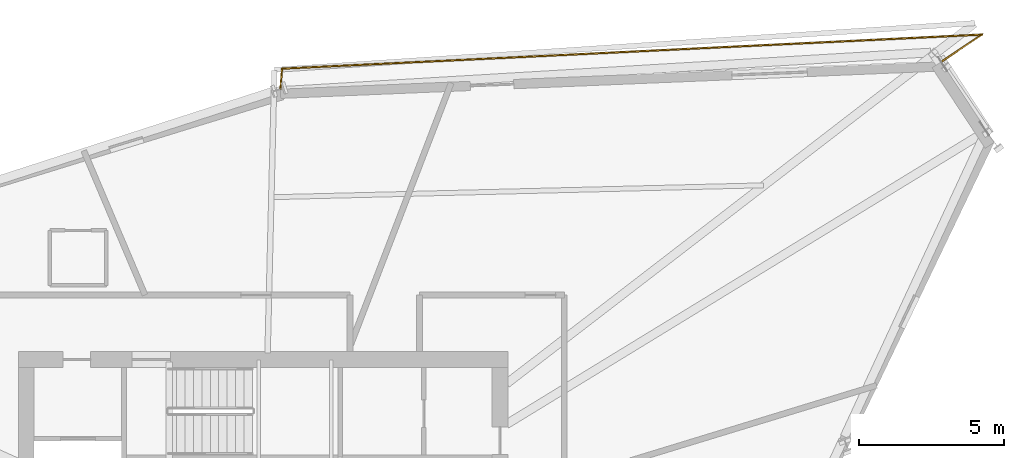
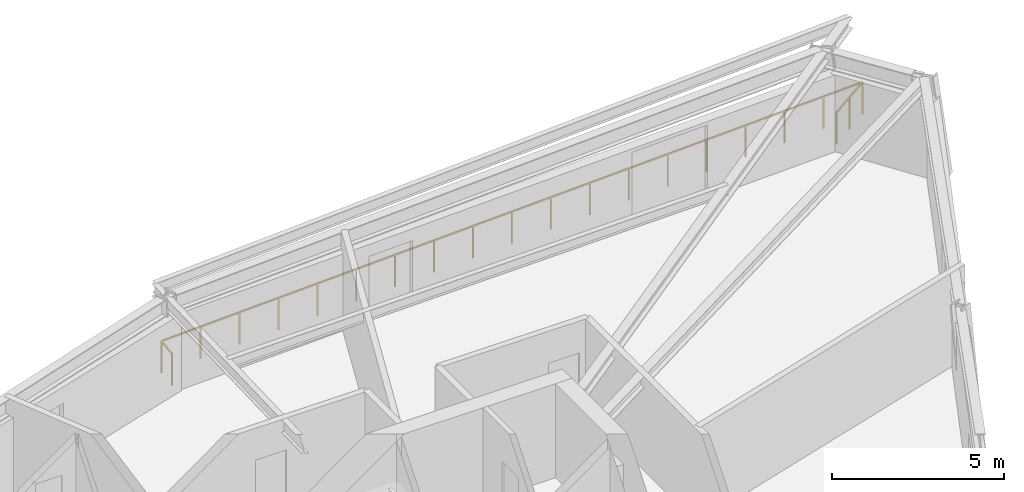
# One storey, part 13 of 13: 1 railing.
"""IFC4 building model written with IfcOpenShell, lengths in metres."""

from ifc_helpers import new_model, si_unit, direction, frame, origin, origin_2d, place, context, subcontext, project, spatial, rectangle, extrude, material, type_object, element, save


model = new_model("IFC4")

# Units and contexts
model_context = context("Model", 3, precision=1e-05, world=origin(), true_north=direction((0.0, 1.0)))
body_context = subcontext(model_context, "Body", "Model", "MODEL_VIEW")
ifc_project = project(units=[si_unit("LENGTHUNIT", "METRE"), si_unit("AREAUNIT", "SQUARE_METRE"), si_unit("VOLUMEUNIT", "CUBIC_METRE"), si_unit("PLANEANGLEUNIT", "RADIAN"), si_unit("MASSUNIT", "GRAM", prefix="KILO")], contexts=[model_context])

# Site, building, storey
site_placement = place(None, origin())
site = spatial("IfcSite", under=ifc_project, at=site_placement, CompositionType="ELEMENT")
building_placement = place(site_placement, origin())
building = spatial("IfcBuilding", under=site, at=building_placement, Name="Olszyna Solenne Hotel", CompositionType="ELEMENT")
storey_placement = place(building_placement, frame((0.0, 0.0, 171.449951171875)))
storey = spatial("IfcBuildingStorey", under=building, at=storey_placement, Name="L45", CompositionType="ELEMENT", Elevation=171.449951171875)

# Railing
ifc_material = material(Name="Anodised bronze aluminium", Category="aluminium")
railing_type = type_object("IfcRailingType", Name="GR-110", PredefinedType="BALUSTRADE", material=ifc_material)
railing_placement = place(storey_placement, frame((61.41357421875, 44.250244140625, 0.0)))
element("IfcRailing", 1, at=railing_placement, inside=storey, type_object=railing_type, Name="Loggia balcony balustrade guard GR-L45-LG1", PredefinedType="BALUSTRADE", context=body_context, shape_type="SweptSolid", body=[
    extrude(rectangle(XDim=0.048095703125, YDim=0.048095703125, at=origin_2d()), frame((0.0, 0.0, 1.1259765625), z_axis=(0.831694945232, 0.555232850321, 0.0), x_axis=(-0.555232850321, 0.831694945232, 0.0)), (0.0, 0.0, 1.0), 1.69189453125),
    extrude(rectangle(XDim=0.048095703125, YDim=0.048095703125, at=origin_2d()), frame((1.4072265625, 0.939453125, 1.1259765625), z_axis=(-0.998816372258, -0.048640050459, 0.0), x_axis=(0.048640050459, -0.998816372258, 0.0)), (0.0, 0.0, 1.0), 24.193115234375),
    extrude(rectangle(XDim=0.048095703125, YDim=0.048095703125, at=origin_2d()), frame((-22.75732421875, -0.2373046875, 1.1259765625), z_axis=(-0.079170596973, -0.996861081884, 0.0), x_axis=(0.996861081884, -0.079170596973, 0.0)), (0.0, 0.0, 1.0), 0.709228515625),
    extrude(rectangle(XDim=0.0419921875, YDim=0.0419921875, at=origin_2d()), origin(), (0.0, 0.0, 1.0), 1.101806640625),
    extrude(rectangle(XDim=0.0419921875, YDim=0.0419921875, at=origin_2d()), frame((0.70361328125, 0.4697265625, 0.0)), (0.0, 0.0, 1.0), 1.101806640625),
    extrude(rectangle(XDim=0.0419921875, YDim=0.0419921875, at=origin_2d()), frame((1.4072265625, 0.939453125, 0.0)), (0.0, 0.0, 1.0), 1.101806640625),
    extrude(rectangle(XDim=0.0419921875, YDim=0.0419921875, at=origin_2d()), frame((0.064697265625, 0.8740234375, 0.0)), (0.0, 0.0, 1.0), 1.101806640625),
    extrude(rectangle(XDim=0.0419921875, YDim=0.0419921875, at=origin_2d()), frame((-1.27783203125, 0.80859375, 0.0)), (0.0, 0.0, 1.0), 1.101806640625),
    extrude(rectangle(XDim=0.0419921875, YDim=0.0419921875, at=origin_2d()), frame((-2.6201171875, 0.743408203125, 0.0)), (0.0, 0.0, 1.0), 1.101806640625),
    extrude(rectangle(XDim=0.0419921875, YDim=0.0419921875, at=origin_2d()), frame((-3.962646484375, 0.677978515625, 0.0)), (0.0, 0.0, 1.0), 1.101806640625),
    extrude(rectangle(XDim=0.0419921875, YDim=0.0419921875, at=origin_2d()), frame((-5.30517578125, 0.612548828125, 0.0)), (0.0, 0.0, 1.0), 1.101806640625),
    extrude(rectangle(XDim=0.0419921875, YDim=0.0419921875, at=origin_2d()), frame((-6.647705078125, 0.547119140625, 0.0)), (0.0, 0.0, 1.0), 1.101806640625),
    extrude(rectangle(XDim=0.0419921875, YDim=0.0419921875, at=origin_2d()), frame((-7.989990234375, 0.48193359375, 0.0)), (0.0, 0.0, 1.0), 1.101806640625),
    extrude(rectangle(XDim=0.0419921875, YDim=0.0419921875, at=origin_2d()), frame((-9.33251953125, 0.41650390625, 0.0)), (0.0, 0.0, 1.0), 1.101806640625),
    extrude(rectangle(XDim=0.0419921875, YDim=0.0419921875, at=origin_2d()), frame((-10.675048828125, 0.35107421875, 0.0)), (0.0, 0.0, 1.0), 1.101806640625),
    extrude(rectangle(XDim=0.0419921875, YDim=0.0419921875, at=origin_2d()), frame((-12.017578125, 0.28564453125, 0.0)), (0.0, 0.0, 1.0), 1.101806640625),
    extrude(rectangle(XDim=0.0419921875, YDim=0.0419921875, at=origin_2d()), frame((-13.360107421875, 0.22021484375, 0.0)), (0.0, 0.0, 1.0), 1.101806640625),
    extrude(rectangle(XDim=0.0419921875, YDim=0.0419921875, at=origin_2d()), frame((-14.702392578125, 0.155029296875, 0.0)), (0.0, 0.0, 1.0), 1.101806640625),
    extrude(rectangle(XDim=0.0419921875, YDim=0.0419921875, at=origin_2d()), frame((-16.044921875, 0.089599609375, 0.0)), (0.0, 0.0, 1.0), 1.101806640625),
    extrude(rectangle(XDim=0.0419921875, YDim=0.0419921875, at=origin_2d()), frame((-17.387451171875, 0.024169921875, 0.0)), (0.0, 0.0, 1.0), 1.101806640625),
    extrude(rectangle(XDim=0.0419921875, YDim=0.0419921875, at=origin_2d()), frame((-18.72998046875, -0.041259765625, 0.0)), (0.0, 0.0, 1.0), 1.101806640625),
    extrude(rectangle(XDim=0.0419921875, YDim=0.0419921875, at=origin_2d()), frame((-20.072265625, -0.1064453125, 0.0)), (0.0, 0.0, 1.0), 1.101806640625),
    extrude(rectangle(XDim=0.0419921875, YDim=0.0419921875, at=origin_2d()), frame((-21.414794921875, -0.171875, 0.0)), (0.0, 0.0, 1.0), 1.101806640625),
    extrude(rectangle(XDim=0.0419921875, YDim=0.0419921875, at=origin_2d()), frame((-22.75732421875, -0.2373046875, 0.0)), (0.0, 0.0, 1.0), 1.101806640625),
    extrude(rectangle(XDim=0.0419921875, YDim=0.0419921875, at=origin_2d()), frame((-22.8134765625, -0.9443359375, 0.0)), (0.0, 0.0, 1.0), 1.101806640625),
])

save(model, "model.ifc")
